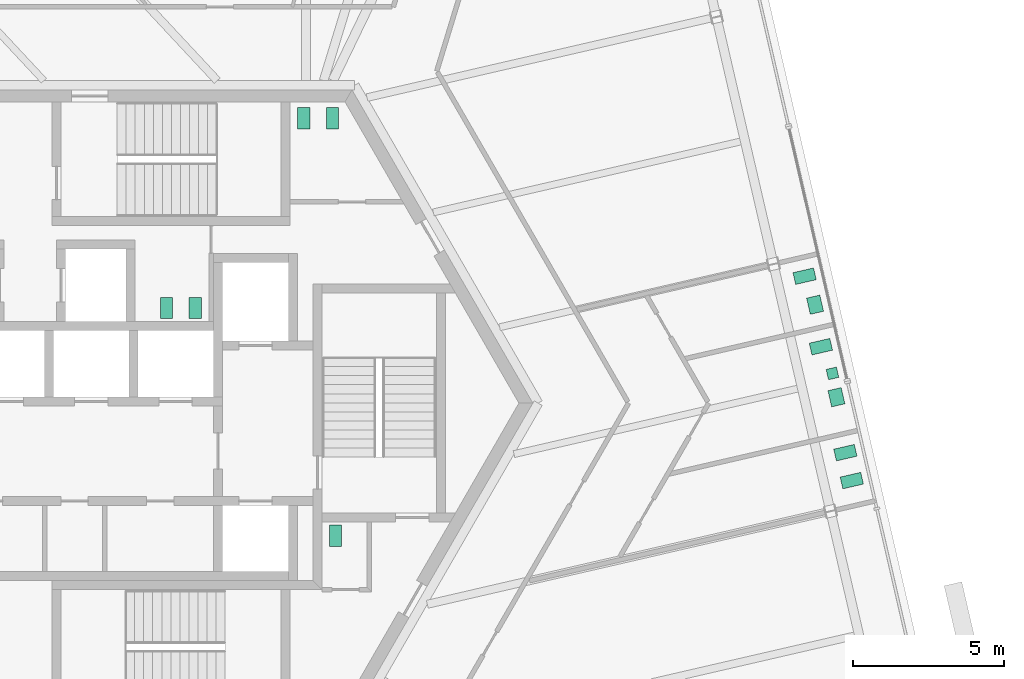
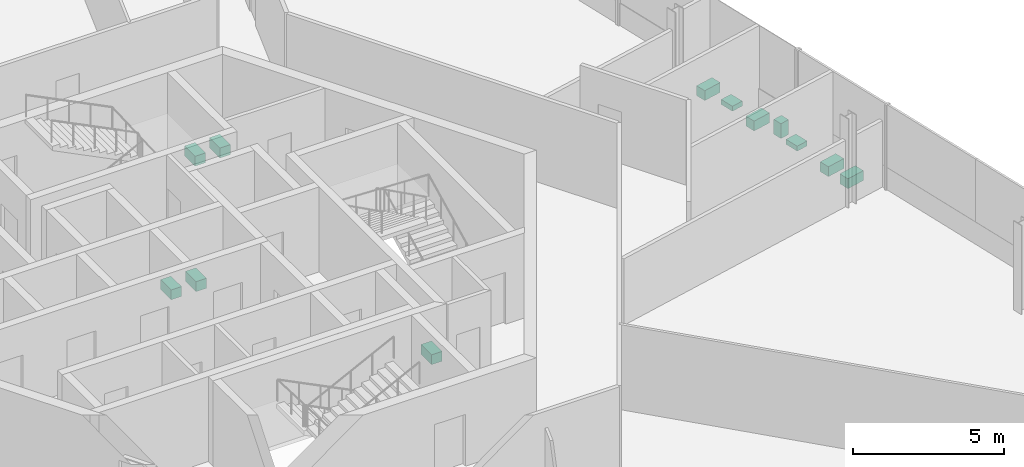
# One storey, part 15 of 17: 12 sanitary terminals.
"""IFC4 building model written with IfcOpenShell, lengths in metres."""

from ifc_helpers import new_model, si_unit, direction, frame, origin, origin_2d, place, context, subcontext, project, spatial, rectangle, extrude, source, transform, mapped, material, element, save


model = new_model("IFC4")

# Units and contexts
model_context = context("Model", 3, precision=1e-05, world=origin(), true_north=direction((0.0, 1.0)))
body_context = subcontext(model_context, "Body", "Model", "MODEL_VIEW")
ifc_project = project(units=[si_unit("LENGTHUNIT", "METRE"), si_unit("AREAUNIT", "SQUARE_METRE"), si_unit("VOLUMEUNIT", "CUBIC_METRE"), si_unit("PLANEANGLEUNIT", "RADIAN"), si_unit("MASSUNIT", "GRAM", prefix="KILO")], contexts=[model_context])

# Site, building, storey
site_placement = place(None, origin())
site = spatial("IfcSite", under=ifc_project, at=site_placement, CompositionType="ELEMENT")
building_placement = place(site_placement, origin())
building = spatial("IfcBuilding", under=site, at=building_placement, Name="Triune Harvest Tower", CompositionType="ELEMENT")
storey_placement = place(building_placement, frame((0.0, 0.0, 123.5)))
storey = spatial("IfcBuildingStorey", under=building, at=storey_placement, Name="L31", CompositionType="ELEMENT", Elevation=123.5)

# Sanitary terminals
ifc_material = material(Name="Vitreous china")
shared_shape_1 = source(origin(), body_context, "Body", "SweptSolid", [
    extrude(rectangle(XDim=0.39990234375, YDim=0.699951171875, at=origin_2d()), origin(), (0.0, 0.0, 1.0), 0.39990234375),
])
for number, where, z_axis, x_axis, name in (
    (1, (4.39990234375, 9.449951171875, 0.0), (0.0, 0.0, 1.0), (1.0, 0.0, 0.0), "Toilet pan L31.c01"),
    (2, (5.35009765625, 9.449951171875, 0.0), (0.0, 0.0, 1.0), (1.0, 0.0, 0.0), "Toilet pan L31.c02"),
    (3, (0.800048828125, 3.159912109375, 0.0), (0.0, 0.0, 1.0), (-1.0, 0.0, 0.0), "Toilet pan L31.c03"),
    (4, (-0.14990234375, 3.159912109375, 0.0), (0.0, 0.0, 1.0), (-1.0, 0.0, 0.0), "Toilet pan L31.c04"),
    (5, (5.449951171875, -4.39990234375, 0.0), (0.0, 0.0, 1.0), (1.0, 0.0, 0.0), "Toilet pan L31.c05"),
    (6, (22.367431640625, -1.644287109375, 0.0), (0.0, 0.0, 1.0), (0.224934048344, -0.974373990773, 0.0), "Toilet pan 01"),
    (7, (22.5810546875, -2.56982421875, 0.0), (0.0, 0.0, 1.0), (0.224934048344, -0.974373990773, 0.0), "Toilet pan 02"),
    (8, (21.5556640625, 1.8720703125, 0.0), (0.0, 0.0, 1.0), (0.224934048344, -0.974373990773, 0.0), "Toilet pan 03"),
    (9, (21.015625, 4.21044921875, 0.0), (0.0, 0.0, 1.0), (0.224968060275, -0.9743661385, 0.0), "Toilet pan 06"),
):
    element("IfcSanitaryTerminal", number, at=place(storey_placement, frame(where, z_axis=z_axis, x_axis=x_axis)), inside=storey, material=ifc_material, Name=name, PredefinedType="TOILETPAN", context=body_context, shape_type="MappedRepresentation", body=[
        mapped(shared_shape_1, transform((0.0, 0.0, 0.0), scale=1.0)),
    ])
shared_shape_2 = source(origin(), body_context, "Body", "SweptSolid", [
    extrude(rectangle(XDim=0.35009765625, YDim=0.35009765625, at=origin_2d()), origin(), (0.0, 0.0, 1.0), 0.60009765625),
])
sanitary_terminal_placement = place(storey_placement, frame((21.939697265625, 0.98583984375, 0.0), z_axis=(0.0, 0.0, 1.0), x_axis=(0.224934048344, -0.974373990773, 0.0)))
element("IfcSanitaryTerminal", 10, at=sanitary_terminal_placement, inside=storey, material=ifc_material, Name="Urinal 04", PredefinedType="URINAL", context=body_context, shape_type="MappedRepresentation", body=[
    mapped(shared_shape_2, transform((0.0, 0.0, 0.0), scale=1.0)),
])
shared_shape_3 = source(origin(), body_context, "Body", "SweptSolid", [
    extrude(rectangle(XDim=0.550048828125, YDim=0.449951171875, at=origin_2d()), origin(), (0.0, 0.0, 1.0), 0.199951171875),
])
for number, where, z_axis, x_axis, name in (
    (11, (22.071044921875, 0.195068359375, 0.0), (0.0, 0.0, 1.0), (0.224934048344, -0.974373990773, 0.0), "Wash basin 05"),
    (12, (21.362548828125, 3.264404296875, 0.0), (0.0, 0.0, 1.0), (0.224968060275, -0.9743661385, 0.0), "Wash basin 07"),
):
    element("IfcSanitaryTerminal", number, at=place(storey_placement, frame(where, z_axis=z_axis, x_axis=x_axis)), inside=storey, material=ifc_material, Name=name, PredefinedType="WASHHANDBASIN", context=body_context, shape_type="MappedRepresentation", body=[
        mapped(shared_shape_3, transform((0.0, 0.0, 0.0), scale=1.0)),
    ])

save(model, "model.ifc")
